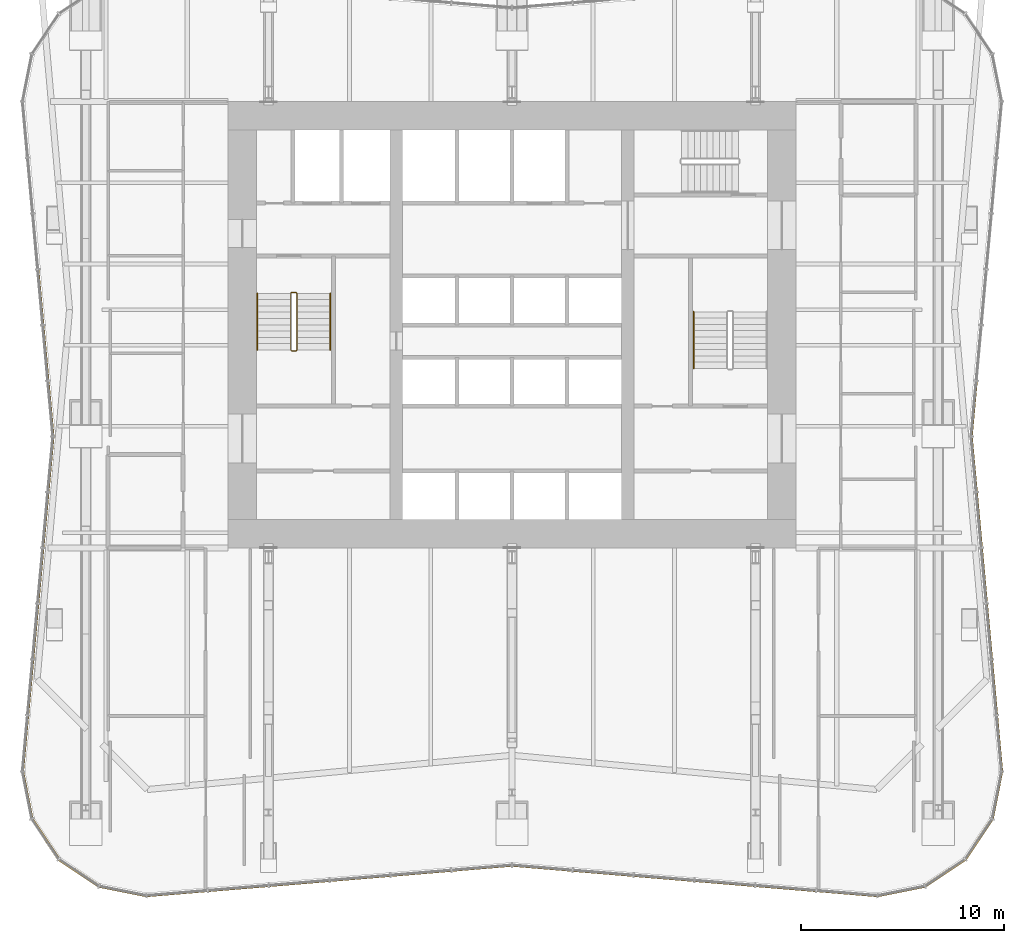
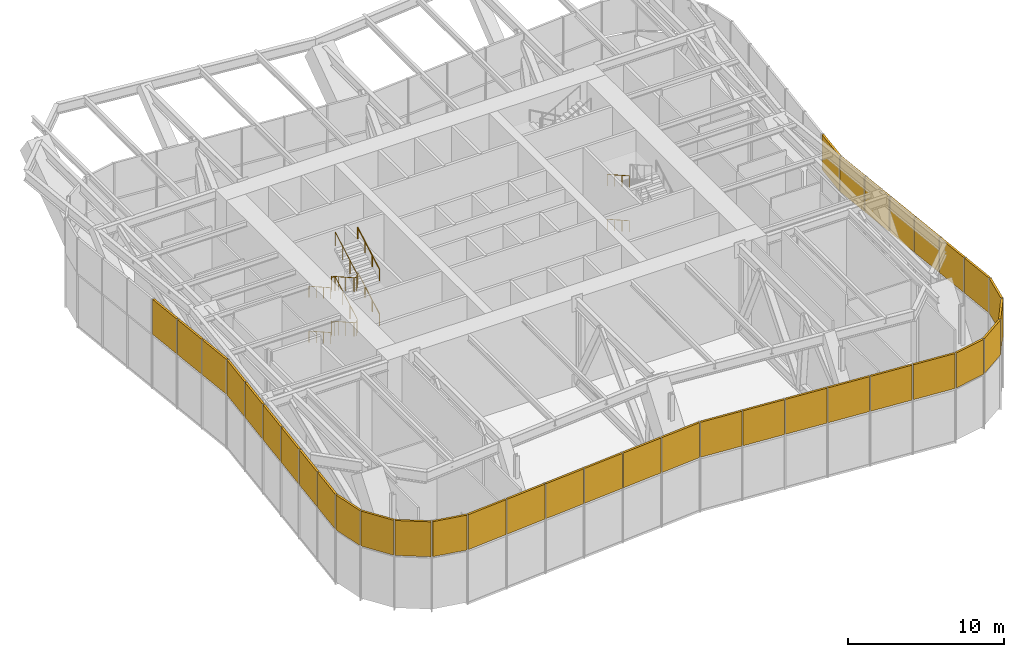
# One storey, part 15 of 17: 36 shading devices, 7 railings, 5 elements without a shape of their own.
"""IFC4 building model written with IfcOpenShell, lengths in metres."""

from ifc_helpers import new_model, si_unit, direction, frame, origin, origin_2d, place, context, subcontext, project, spatial, rectangle, circle, extrude, material, layer, layer_set, type_object, element, aggregate, save


model = new_model("IFC4")

# Units and contexts
model_context = context("Model", 3, precision=1e-05, world=origin(), true_north=direction((0.0, 1.0)))
body_context = subcontext(model_context, "Body", "Model", "MODEL_VIEW")
ifc_project = project(units=[si_unit("LENGTHUNIT", "METRE"), si_unit("AREAUNIT", "SQUARE_METRE"), si_unit("VOLUMEUNIT", "CUBIC_METRE"), si_unit("PLANEANGLEUNIT", "RADIAN"), si_unit("MASSUNIT", "GRAM", prefix="KILO")], contexts=[model_context])

# Site, building, storey
site_placement = place(None, origin())
site = spatial("IfcSite", under=ifc_project, at=site_placement, CompositionType="ELEMENT")
building_placement = place(site_placement, origin())
building = spatial("IfcBuilding", under=site, at=building_placement, Name="Verdant Reach Tower", CompositionType="ELEMENT")
storey_placement = place(building_placement, frame((0.0, 0.0, 58.0)))
storey = spatial("IfcBuildingStorey", under=building, at=storey_placement, Name="L13 Plant", CompositionType="ELEMENT", Elevation=58.0)

# Railings
ifc_material_1 = material(Name="Stainless steel", Category="steel")
railing_type_1 = type_object("IfcRailingType", Name="CO-GUARD", PredefinedType="GUARDRAIL", material=ifc_material_1)
railing_1_placement = place(storey_placement, frame((-10.64990234375, 29.60009765625, 0.0)))
element("IfcRailing", 1, at=railing_1_placement, inside=storey, type_object=railing_type_1, Name="L13 Plant ST-1 stair guard 1", PredefinedType="GUARDRAIL", context=body_context, shape_type="SweptSolid", body=[
    extrude(circle(Radius=0.02392578125, at=origin_2d()), frame((0.0, 0.0, 1.076171875), z_axis=(-1.0, 0.0, 0.0), x_axis=(0.0, -1.0, 0.0)), (0.0, 0.0, 1.0), 0.2001953125),
    extrude(circle(Radius=0.02392578125, at=origin_2d()), frame((-0.2001953125, 0.0, 1.076171875), z_axis=(-0.263862480399, -0.265155923931, 0.927399011991), x_axis=(0.708833529934, -0.705375805398, 0.0)), (0.0, 0.0, 1.0), 0.188720703125),
    extrude(circle(Radius=0.02392578125, at=origin_2d()), frame((-0.25, -0.050048828125, 1.2509765625), z_axis=(0.0, -0.870833779661, 0.491577591232), x_axis=(1.0, 0.0, 0.0)), (0.0, 0.0, 1.0), 3.203857421875),
    extrude(circle(Radius=0.02392578125, at=origin_2d()), frame((-0.25, -2.840087890625, 2.826171875), z_axis=(0.705375805398, -0.708833529934, 0.0), x_axis=(0.708833529934, 0.705375805398, 0.0)), (0.0, 0.0, 1.0), 0.070556640625),
    extrude(circle(Radius=0.02392578125, at=origin_2d()), frame((-0.2001953125, -2.89013671875, 2.826171875), z_axis=(1.0, 0.0, 0.0), x_axis=(0.0, 1.0, 0.0)), (0.0, 0.0, 1.0), 0.2001953125),
    extrude(circle(Radius=0.02392578125, at=origin_2d()), frame((0.0, -2.89013671875, 2.826171875), z_axis=(0.263862480399, 0.265155923931, 0.927399011991), x_axis=(-0.708833529934, 0.705375805398, 0.0)), (0.0, 0.0, 1.0), 0.188720703125),
    extrude(circle(Radius=0.02392578125, at=origin_2d()), frame((0.0498046875, -2.840087890625, 3.0009765625), z_axis=(0.0, 0.870833779661, 0.491577591232), x_axis=(-1.0, 0.0, 0.0)), (0.0, 0.0, 1.0), 3.203857421875),
    extrude(circle(Radius=0.02392578125, at=origin_2d()), frame((0.0498046875, -0.050048828125, 4.576171875), z_axis=(-0.705375805398, 0.708833529934, 0.0), x_axis=(-0.708833529934, -0.705375805398, 0.0)), (0.0, 0.0, 1.0), 0.070556640625),
    extrude(circle(Radius=0.02392578125, at=origin_2d()), frame((0.0, 0.0, 4.576171875), z_axis=(-1.0, 0.0, 0.0), x_axis=(0.0, -1.0, 0.0)), (0.0, 0.0, 1.0), 0.2001953125),
    extrude(circle(Radius=0.02392578125, at=origin_2d()), frame((-0.2001953125, 0.0, 4.576171875), z_axis=(-0.263862480399, -0.265155923931, 0.927399011991), x_axis=(0.708833529934, -0.705375805398, 0.0)), (0.0, 0.0, 1.0), 0.188720703125),
    extrude(circle(Radius=0.02392578125, at=origin_2d()), frame((-0.25, -0.050048828125, 4.7509765625), z_axis=(0.0, -0.870833779661, 0.491577591232), x_axis=(1.0, 0.0, 0.0)), (0.0, 0.0, 1.0), 3.203857421875),
    extrude(circle(Radius=0.02392578125, at=origin_2d()), frame((-0.25, -2.840087890625, 6.326171875), z_axis=(0.705375805398, -0.708833529934, 0.0), x_axis=(0.708833529934, 0.705375805398, 0.0)), (0.0, 0.0, 1.0), 0.070556640625),
    extrude(circle(Radius=0.02392578125, at=origin_2d()), frame((-0.2001953125, -2.89013671875, 6.326171875), z_axis=(1.0, 0.0, 0.0), x_axis=(0.0, 1.0, 0.0)), (0.0, 0.0, 1.0), 0.2001953125),
    extrude(circle(Radius=0.02392578125, at=origin_2d()), frame((0.0, -2.89013671875, 6.326171875), z_axis=(0.263862480399, 0.265155923931, 0.927399011991), x_axis=(-0.708833529934, 0.705375805398, 0.0)), (0.0, 0.0, 1.0), 0.188720703125),
    extrude(circle(Radius=0.02392578125, at=origin_2d()), frame((0.0498046875, -2.840087890625, 6.5009765625), z_axis=(0.0, 0.870833779661, 0.491577591232), x_axis=(-1.0, 0.0, 0.0)), (0.0, 0.0, 1.0), 3.203857421875),
    extrude(circle(Radius=0.02099609375, at=origin_2d()), origin(), (0.0, 0.0, 1.0), 1.052001953125),
    extrude(circle(Radius=0.02099609375, at=origin_2d()), frame((-0.2001953125, 0.0, 0.0)), (0.0, 0.0, 1.0), 1.052001953125),
    extrude(circle(Radius=0.02099609375, at=origin_2d()), frame((-0.25, -0.050048828125, 0.175048828125)), (0.0, 0.0, 1.0), 1.052001953125),
    extrude(circle(Radius=0.02099609375, at=origin_2d()), frame((-0.25, -0.97998046875, 0.699951171875)), (0.0, 0.0, 1.0), 1.052001953125),
    extrude(circle(Radius=0.02099609375, at=origin_2d()), frame((-0.25, -1.91015625, 1.22509765625)), (0.0, 0.0, 1.0), 1.052001953125),
    extrude(circle(Radius=0.02099609375, at=origin_2d()), frame((-0.25, -2.840087890625, 1.75)), (0.0, 0.0, 1.0), 1.052001953125),
    extrude(circle(Radius=0.02099609375, at=origin_2d()), frame((-0.2001953125, -2.89013671875, 1.75)), (0.0, 0.0, 1.0), 1.052001953125),
    extrude(circle(Radius=0.02099609375, at=origin_2d()), frame((0.0, -2.89013671875, 1.75)), (0.0, 0.0, 1.0), 1.052001953125),
    extrude(circle(Radius=0.02099609375, at=origin_2d()), frame((0.0498046875, -2.840087890625, 1.925048828125)), (0.0, 0.0, 1.0), 1.052001953125),
    extrude(circle(Radius=0.02099609375, at=origin_2d()), frame((0.0498046875, -1.91015625, 2.449951171875)), (0.0, 0.0, 1.0), 1.052001953125),
    extrude(circle(Radius=0.02099609375, at=origin_2d()), frame((0.0498046875, -0.97998046875, 2.97509765625)), (0.0, 0.0, 1.0), 1.052001953125),
    extrude(circle(Radius=0.02099609375, at=origin_2d()), frame((0.0498046875, -0.050048828125, 3.5)), (0.0, 0.0, 1.0), 1.052001953125),
    extrude(circle(Radius=0.02099609375, at=origin_2d()), frame((0.0, 0.0, 3.5)), (0.0, 0.0, 1.0), 1.052001953125),
    extrude(circle(Radius=0.02099609375, at=origin_2d()), frame((-0.2001953125, 0.0, 3.5)), (0.0, 0.0, 1.0), 1.052001953125),
    extrude(circle(Radius=0.02099609375, at=origin_2d()), frame((-0.25, -0.050048828125, 3.675048828125)), (0.0, 0.0, 1.0), 1.052001953125),
    extrude(circle(Radius=0.02099609375, at=origin_2d()), frame((-0.25, -0.97998046875, 4.199951171875)), (0.0, 0.0, 1.0), 1.052001953125),
    extrude(circle(Radius=0.02099609375, at=origin_2d()), frame((-0.25, -1.91015625, 4.72509765625)), (0.0, 0.0, 1.0), 1.052001953125),
    extrude(circle(Radius=0.02099609375, at=origin_2d()), frame((-0.25, -2.840087890625, 5.25)), (0.0, 0.0, 1.0), 1.052001953125),
    extrude(circle(Radius=0.02099609375, at=origin_2d()), frame((-0.2001953125, -2.89013671875, 5.25)), (0.0, 0.0, 1.0), 1.052001953125),
    extrude(circle(Radius=0.02099609375, at=origin_2d()), frame((0.0, -2.89013671875, 5.25)), (0.0, 0.0, 1.0), 1.052001953125),
    extrude(circle(Radius=0.02099609375, at=origin_2d()), frame((0.0498046875, -2.840087890625, 5.425048828125)), (0.0, 0.0, 1.0), 1.052001953125),
    extrude(circle(Radius=0.02099609375, at=origin_2d()), frame((0.0498046875, -1.91015625, 5.949951171875)), (0.0, 0.0, 1.0), 1.052001953125),
    extrude(circle(Radius=0.02099609375, at=origin_2d()), frame((0.0498046875, -0.97998046875, 6.47509765625)), (0.0, 0.0, 1.0), 1.052001953125),
    extrude(circle(Radius=0.02099609375, at=origin_2d()), frame((0.0498046875, -0.050048828125, 7.0)), (0.0, 0.0, 1.0), 1.052001953125),
])
railing_type_2 = type_object("IfcRailingType", Name="CO-HANDRAIL", PredefinedType="HANDRAIL", material=ifc_material_1)
railing_2_placement = place(storey_placement, frame((-12.550048828125, 29.550048828125, 0.175048828125)))
element("IfcRailing", 2, at=railing_2_placement, inside=storey, type_object=railing_type_2, Name="L13 Plant ST-1 stair handrail 1", PredefinedType="HANDRAIL", context=body_context, shape_type="SweptSolid", body=[
    extrude(circle(Radius=0.02392578125, at=origin_2d()), frame((0.0, 0.0, 0.8759765625), z_axis=(0.0, -0.870833779661, 0.491577591232), x_axis=(1.0, 0.0, 0.0)), (0.0, 0.0, 1.0), 3.203857421875),
    extrude(circle(Radius=0.02099609375, at=origin_2d()), origin(), (0.0, 0.0, 1.0), 0.851806640625),
    extrude(circle(Radius=0.02099609375, at=origin_2d()), frame((0.0, -0.929931640625, 0.52490234375)), (0.0, 0.0, 1.0), 0.851806640625),
    extrude(circle(Radius=0.02099609375, at=origin_2d()), frame((0.0, -1.860107421875, 1.050048828125)), (0.0, 0.0, 1.0), 0.851806640625),
    extrude(circle(Radius=0.02099609375, at=origin_2d()), frame((0.0, -2.7900390625, 1.574951171875)), (0.0, 0.0, 1.0), 0.851806640625),
])
railing_3_placement = place(storey_placement, frame((-8.949951171875, 26.760009765625, 1.925048828125)))
element("IfcRailing", 3, at=railing_3_placement, inside=storey, type_object=railing_type_2, Name="L13 Plant ST-1 stair handrail 2", PredefinedType="HANDRAIL", context=body_context, shape_type="SweptSolid", body=[
    extrude(circle(Radius=0.02392578125, at=origin_2d()), frame((0.0, 0.0, 0.8759765625), z_axis=(0.0, 0.870833779661, 0.491577591232), x_axis=(-1.0, 0.0, 0.0)), (0.0, 0.0, 1.0), 3.203857421875),
    extrude(circle(Radius=0.02099609375, at=origin_2d()), origin(), (0.0, 0.0, 1.0), 0.851806640625),
    extrude(circle(Radius=0.02099609375, at=origin_2d()), frame((0.0, 0.929931640625, 0.52490234375)), (0.0, 0.0, 1.0), 0.851806640625),
    extrude(circle(Radius=0.02099609375, at=origin_2d()), frame((0.0, 1.860107421875, 1.050048828125)), (0.0, 0.0, 1.0), 0.851806640625),
    extrude(circle(Radius=0.02099609375, at=origin_2d()), frame((0.0, 2.7900390625, 1.574951171875)), (0.0, 0.0, 1.0), 0.851806640625),
])
railing_4_placement = place(storey_placement, frame((-12.550048828125, 29.550048828125, 3.675048828125)))
element("IfcRailing", 4, at=railing_4_placement, inside=storey, type_object=railing_type_2, Name="L13 Plant ST-1 stair handrail 3", PredefinedType="HANDRAIL", context=body_context, shape_type="SweptSolid", body=[
    extrude(circle(Radius=0.02392578125, at=origin_2d()), frame((0.0, 0.0, 0.8759765625), z_axis=(0.0, -0.870833779661, 0.491577591232), x_axis=(1.0, 0.0, 0.0)), (0.0, 0.0, 1.0), 3.203857421875),
    extrude(circle(Radius=0.02099609375, at=origin_2d()), origin(), (0.0, 0.0, 1.0), 0.851806640625),
    extrude(circle(Radius=0.02099609375, at=origin_2d()), frame((0.0, -0.929931640625, 0.52490234375)), (0.0, 0.0, 1.0), 0.851806640625),
    extrude(circle(Radius=0.02099609375, at=origin_2d()), frame((0.0, -1.860107421875, 1.050048828125)), (0.0, 0.0, 1.0), 0.851806640625),
    extrude(circle(Radius=0.02099609375, at=origin_2d()), frame((0.0, -2.7900390625, 1.574951171875)), (0.0, 0.0, 1.0), 0.851806640625),
])
railing_5_placement = place(storey_placement, frame((-8.949951171875, 26.760009765625, 5.425048828125)))
element("IfcRailing", 5, at=railing_5_placement, inside=storey, type_object=railing_type_2, Name="L13 Plant ST-1 stair handrail 4", PredefinedType="HANDRAIL", context=body_context, shape_type="SweptSolid", body=[
    extrude(circle(Radius=0.02392578125, at=origin_2d()), frame((0.0, 0.0, 0.8759765625), z_axis=(0.0, 0.870833779661, 0.491577591232), x_axis=(-1.0, 0.0, 0.0)), (0.0, 0.0, 1.0), 3.203857421875),
    extrude(circle(Radius=0.02099609375, at=origin_2d()), origin(), (0.0, 0.0, 1.0), 0.851806640625),
    extrude(circle(Radius=0.02099609375, at=origin_2d()), frame((0.0, 0.929931640625, 0.52490234375)), (0.0, 0.0, 1.0), 0.851806640625),
    extrude(circle(Radius=0.02099609375, at=origin_2d()), frame((0.0, 1.860107421875, 1.050048828125)), (0.0, 0.0, 1.0), 0.851806640625),
    extrude(circle(Radius=0.02099609375, at=origin_2d()), frame((0.0, 2.7900390625, 1.574951171875)), (0.0, 0.0, 1.0), 0.851806640625),
])
for number, where, name in (
    (6, (8.949951171875, 28.639892578125, 1.925048828125), "L13 Plant ST-2 stair handrail 2"),
    (7, (8.949951171875, 28.639892578125, 5.425048828125), "L13 Plant ST-2 stair handrail 4"),
):
    element("IfcRailing", number, at=place(storey_placement, frame(where)), inside=storey, type_object=railing_type_2, Name=name, PredefinedType="HANDRAIL", context=body_context, shape_type="SweptSolid", body=[
        extrude(circle(Radius=0.02392578125, at=origin_2d()), frame((0.0, 0.0, 0.8759765625), z_axis=(0.0, -0.870815363784, 0.491610213684), x_axis=(1.0, 0.0, 0.0)), (0.0, 0.0, 1.0), 3.20361328125),
        extrude(circle(Radius=0.02099609375, at=origin_2d()), origin(), (0.0, 0.0, 1.0), 0.851806640625),
        extrude(circle(Radius=0.02099609375, at=origin_2d()), frame((0.0, -0.929931640625, 0.52490234375)), (0.0, 0.0, 1.0), 0.851806640625),
        extrude(circle(Radius=0.02099609375, at=origin_2d()), frame((0.0, -1.85986328125, 1.050048828125)), (0.0, 0.0, 1.0), 0.851806640625),
        extrude(circle(Radius=0.02099609375, at=origin_2d()), frame((0.0, -2.789794921875, 1.574951171875)), (0.0, 0.0, 1.0), 0.851806640625),
    ])

# Curtain wall, shading devices
ifc_material_2 = material(Name="Anodised aluminium", Category="aluminium")
curtain_wall_type = type_object("IfcCurtainWallType", Name="EN-CW SYSTEM PLANT", PredefinedType="NOTDEFINED", material=ifc_material_2)
curtain_wall_1_placement = place(storey_placement, origin())
curtain_wall_1 = element("IfcCurtainWall", 8, at=curtain_wall_1_placement, inside=storey, type_object=curtain_wall_type, Name="Curtain wall south-east corner, L13", PredefinedType="NOTDEFINED")
ifc_material_3 = material(Name="Bronze anodised aluminium louvre", Category="aluminium")
ifc_layer = layer(ifc_material_3, 0.14990234375)
ifc_layer_set = layer_set([ifc_layer], Name="EN-LOUVRE")
shading_device_type = type_object("IfcShadingDeviceType", Name="EN-LOUVRE", PredefinedType="USERDEFINED", material=ifc_layer_set)
shading_device_1_placement = place(storey_placement, frame((19.174072265625, 0.114013671875, 3.925048828125), z_axis=(0.0, 0.0, 1.0), x_axis=(0.980694678629, 0.195545256419, 0.0)))
shading_device_1 = element("IfcShadingDevice", 9, at=shading_device_1_placement, type_object=shading_device_type, Name="Louvre bank south-east corner 1, L13", ObjectType="LOUVRE", PredefinedType="USERDEFINED", context=body_context, shape_type="SweptSolid", body=[
    extrude(rectangle(XDim=2.304931640625, YDim=0.14990234375, at=origin_2d()), origin(), (0.0, 0.0, 1.0), 2.72509765625),
])
shading_device_2_placement = place(storey_placement, frame((21.334228515625, 1.010009765625, 3.925048828125), z_axis=(0.0, 0.0, 1.0), x_axis=(0.83145208321, 0.555596466265, 0.0)))
shading_device_2 = element("IfcShadingDevice", 10, at=shading_device_2_placement, type_object=shading_device_type, Name="Louvre bank south-east corner 2, L13", ObjectType="LOUVRE", PredefinedType="USERDEFINED", context=body_context, shape_type="SweptSolid", body=[
    extrude(rectangle(XDim=2.3115234375, YDim=0.14990234375, at=origin_2d()), origin(), (0.0, 0.0, 1.0), 2.72509765625),
])
shading_device_3_placement = place(storey_placement, frame((22.989990234375, 2.665771484375, 3.925048828125), z_axis=(0.0, 0.0, 1.0), x_axis=(0.555596466265, 0.83145208321, 0.0)))
shading_device_3 = element("IfcShadingDevice", 11, at=shading_device_3_placement, type_object=shading_device_type, Name="Louvre bank south-east corner 3, L13", ObjectType="LOUVRE", PredefinedType="USERDEFINED", context=body_context, shape_type="SweptSolid", body=[
    extrude(rectangle(XDim=2.3115234375, YDim=0.14990234375, at=origin_2d()), origin(), (0.0, 0.0, 1.0), 2.72509765625),
])
shading_device_4_placement = place(storey_placement, frame((23.885986328125, 4.825927734375, 3.925048828125), z_axis=(0.0, 0.0, 1.0), x_axis=(0.195519165622, 0.980699880633, 0.0)))
shading_device_4 = element("IfcShadingDevice", 12, at=shading_device_4_placement, type_object=shading_device_type, Name="Louvre bank south-east corner 4, L13", ObjectType="LOUVRE", PredefinedType="USERDEFINED", context=body_context, shape_type="SweptSolid", body=[
    extrude(rectangle(XDim=2.305419921875, YDim=0.14990234375, at=origin_2d()), origin(), (0.0, 0.0, 1.0), 2.72509765625),
])
aggregate(curtain_wall_1, [shading_device_1, shading_device_2, shading_device_3, shading_device_4])

curtain_wall_2_placement = place(storey_placement, origin())
curtain_wall_2 = element("IfcCurtainWall", 13, at=curtain_wall_2_placement, inside=storey, type_object=curtain_wall_type, Name="Curtain wall east, L13", PredefinedType="NOTDEFINED")
shading_device_5_placement = place(storey_placement, frame((23.99365234375, 7.377197265625, 3.925048828125), z_axis=(0.0, 0.0, 1.0), x_axis=(-0.090097307904, 0.995932967176, 0.0)))
shading_device_5 = element("IfcShadingDevice", 14, at=shading_device_5_placement, type_object=shading_device_type, Name="Louvre bank east face part 1 1, L13", ObjectType="LOUVRE", PredefinedType="USERDEFINED", context=body_context, shape_type="SweptSolid", body=[
    extrude(rectangle(XDim=2.702392578125, YDim=0.14990234375, at=origin_2d()), origin(), (0.0, 0.0, 1.0), 2.72509765625),
])
shading_device_6_placement = place(storey_placement, frame((23.743408203125, 10.1357421875, 3.925048828125), z_axis=(0.0, 0.0, 1.0), x_axis=(-0.090535746047, 0.995893206467, 0.0)))
shading_device_6 = element("IfcShadingDevice", 15, at=shading_device_6_placement, type_object=shading_device_type, Name="Louvre bank east face part 1 2, L13", ObjectType="LOUVRE", PredefinedType="USERDEFINED", context=body_context, shape_type="SweptSolid", body=[
    extrude(rectangle(XDim=2.685302734375, YDim=0.14990234375, at=origin_2d()), origin(), (0.0, 0.0, 1.0), 2.72509765625),
])
shading_device_7_placement = place(storey_placement, frame((23.493408203125, 12.8857421875, 3.925048828125), z_axis=(0.0, 0.0, 1.0), x_axis=(-0.090535746047, 0.995893206467, 0.0)))
shading_device_7 = element("IfcShadingDevice", 16, at=shading_device_7_placement, type_object=shading_device_type, Name="Louvre bank east face part 1 3, L13", ObjectType="LOUVRE", PredefinedType="USERDEFINED", context=body_context, shape_type="SweptSolid", body=[
    extrude(rectangle(XDim=2.685302734375, YDim=0.14990234375, at=origin_2d()), origin(), (0.0, 0.0, 1.0), 2.72509765625),
])
shading_device_8_placement = place(storey_placement, frame((23.243408203125, 15.6357421875, 3.925048828125), z_axis=(0.0, 0.0, 1.0), x_axis=(-0.090535746047, 0.995893206467, 0.0)))
shading_device_8 = element("IfcShadingDevice", 17, at=shading_device_8_placement, type_object=shading_device_type, Name="Louvre bank east face part 1 4, L13", ObjectType="LOUVRE", PredefinedType="USERDEFINED", context=body_context, shape_type="SweptSolid", body=[
    extrude(rectangle(XDim=2.685302734375, YDim=0.14990234375, at=origin_2d()), origin(), (0.0, 0.0, 1.0), 2.72509765625),
])
shading_device_9_placement = place(storey_placement, frame((22.993408203125, 18.3857421875, 3.925048828125), z_axis=(0.0, 0.0, 1.0), x_axis=(-0.090535746047, 0.995893206467, 0.0)))
shading_device_9 = element("IfcShadingDevice", 18, at=shading_device_9_placement, type_object=shading_device_type, Name="Louvre bank east face part 1 5, L13", ObjectType="LOUVRE", PredefinedType="USERDEFINED", context=body_context, shape_type="SweptSolid", body=[
    extrude(rectangle(XDim=2.685302734375, YDim=0.14990234375, at=origin_2d()), origin(), (0.0, 0.0, 1.0), 2.72509765625),
])
shading_device_10_placement = place(storey_placement, frame((22.74365234375, 21.13037109375, 3.925048828125), z_axis=(0.0, 0.0, 1.0), x_axis=(-0.090712690488, 0.99587710476, 0.0)))
shading_device_10 = element("IfcShadingDevice", 19, at=shading_device_10_placement, type_object=shading_device_type, Name="Louvre bank east face part 1 6, L13", ObjectType="LOUVRE", PredefinedType="USERDEFINED", context=body_context, shape_type="SweptSolid", body=[
    extrude(rectangle(XDim=2.674560546875, YDim=0.14990234375, at=origin_2d()), origin(), (0.0, 0.0, 1.0), 2.72509765625),
])
shading_device_11_placement = place(storey_placement, frame((22.74365234375, 23.86962890625, 3.925048828125), z_axis=(0.0, 0.0, 1.0), x_axis=(0.090712690488, 0.99587710476, 0.0)))
shading_device_11 = element("IfcShadingDevice", 20, at=shading_device_11_placement, type_object=shading_device_type, Name="Louvre bank east face part 2 1, L13", ObjectType="LOUVRE", PredefinedType="USERDEFINED", context=body_context, shape_type="SweptSolid", body=[
    extrude(rectangle(XDim=2.674560546875, YDim=0.14990234375, at=origin_2d()), origin(), (0.0, 0.0, 1.0), 2.72509765625),
])
aggregate(curtain_wall_2, [shading_device_5, shading_device_6, shading_device_7, shading_device_8, shading_device_9, shading_device_10, shading_device_11])

curtain_wall_3_placement = place(storey_placement, origin())
curtain_wall_3 = element("IfcCurtainWall", 21, at=curtain_wall_3_placement, inside=storey, type_object=curtain_wall_type, Name="Curtain wall west, L13", PredefinedType="NOTDEFINED")
shading_device_12_placement = place(storey_placement, frame((-23.243408203125, 29.3642578125, 3.925048828125), z_axis=(0.0, 0.0, 1.0), x_axis=(0.090535746047, -0.995893206467, 0.0)))
shading_device_12 = element("IfcShadingDevice", 22, at=shading_device_12_placement, type_object=shading_device_type, Name="Louvre bank west face part 1 4, L13", ObjectType="LOUVRE", PredefinedType="USERDEFINED", context=body_context, shape_type="SweptSolid", body=[
    extrude(rectangle(XDim=2.685302734375, YDim=0.14990234375, at=origin_2d()), origin(), (0.0, 0.0, 1.0), 2.72509765625),
])
shading_device_13_placement = place(storey_placement, frame((-22.993408203125, 26.6142578125, 3.925048828125), z_axis=(0.0, 0.0, 1.0), x_axis=(0.090535746047, -0.995893206467, 0.0)))
shading_device_13 = element("IfcShadingDevice", 23, at=shading_device_13_placement, type_object=shading_device_type, Name="Louvre bank west face part 1 5, L13", ObjectType="LOUVRE", PredefinedType="USERDEFINED", context=body_context, shape_type="SweptSolid", body=[
    extrude(rectangle(XDim=2.685302734375, YDim=0.14990234375, at=origin_2d()), origin(), (0.0, 0.0, 1.0), 2.72509765625),
])
shading_device_14_placement = place(storey_placement, frame((-22.74365234375, 23.86962890625, 3.925048828125), z_axis=(0.0, 0.0, 1.0), x_axis=(0.090712690488, -0.99587710476, 0.0)))
shading_device_14 = element("IfcShadingDevice", 24, at=shading_device_14_placement, type_object=shading_device_type, Name="Louvre bank west face part 1 6, L13", ObjectType="LOUVRE", PredefinedType="USERDEFINED", context=body_context, shape_type="SweptSolid", body=[
    extrude(rectangle(XDim=2.674560546875, YDim=0.14990234375, at=origin_2d()), origin(), (0.0, 0.0, 1.0), 2.72509765625),
])
shading_device_15_placement = place(storey_placement, frame((-22.74365234375, 21.13037109375, 3.925048828125), z_axis=(0.0, 0.0, 1.0), x_axis=(-0.090712690488, -0.99587710476, 0.0)))
shading_device_15 = element("IfcShadingDevice", 25, at=shading_device_15_placement, type_object=shading_device_type, Name="Louvre bank west face part 2 1, L13", ObjectType="LOUVRE", PredefinedType="USERDEFINED", context=body_context, shape_type="SweptSolid", body=[
    extrude(rectangle(XDim=2.674560546875, YDim=0.14990234375, at=origin_2d()), origin(), (0.0, 0.0, 1.0), 2.72509765625),
])
shading_device_16_placement = place(storey_placement, frame((-22.993408203125, 18.3857421875, 3.925048828125), z_axis=(0.0, 0.0, 1.0), x_axis=(-0.090535746047, -0.995893206467, 0.0)))
shading_device_16 = element("IfcShadingDevice", 26, at=shading_device_16_placement, type_object=shading_device_type, Name="Louvre bank west face part 2 2, L13", ObjectType="LOUVRE", PredefinedType="USERDEFINED", context=body_context, shape_type="SweptSolid", body=[
    extrude(rectangle(XDim=2.685302734375, YDim=0.14990234375, at=origin_2d()), origin(), (0.0, 0.0, 1.0), 2.72509765625),
])
shading_device_17_placement = place(storey_placement, frame((-23.243408203125, 15.6357421875, 3.925048828125), z_axis=(0.0, 0.0, 1.0), x_axis=(-0.090535746047, -0.995893206467, 0.0)))
shading_device_17 = element("IfcShadingDevice", 27, at=shading_device_17_placement, type_object=shading_device_type, Name="Louvre bank west face part 2 3, L13", ObjectType="LOUVRE", PredefinedType="USERDEFINED", context=body_context, shape_type="SweptSolid", body=[
    extrude(rectangle(XDim=2.685302734375, YDim=0.14990234375, at=origin_2d()), origin(), (0.0, 0.0, 1.0), 2.72509765625),
])
shading_device_18_placement = place(storey_placement, frame((-23.493408203125, 12.8857421875, 3.925048828125), z_axis=(0.0, 0.0, 1.0), x_axis=(-0.090535746047, -0.995893206467, 0.0)))
shading_device_18 = element("IfcShadingDevice", 28, at=shading_device_18_placement, type_object=shading_device_type, Name="Louvre bank west face part 2 4, L13", ObjectType="LOUVRE", PredefinedType="USERDEFINED", context=body_context, shape_type="SweptSolid", body=[
    extrude(rectangle(XDim=2.685302734375, YDim=0.14990234375, at=origin_2d()), origin(), (0.0, 0.0, 1.0), 2.72509765625),
])
shading_device_19_placement = place(storey_placement, frame((-23.743408203125, 10.1357421875, 3.925048828125), z_axis=(0.0, 0.0, 1.0), x_axis=(-0.090535746047, -0.995893206467, 0.0)))
shading_device_19 = element("IfcShadingDevice", 29, at=shading_device_19_placement, type_object=shading_device_type, Name="Louvre bank west face part 2 5, L13", ObjectType="LOUVRE", PredefinedType="USERDEFINED", context=body_context, shape_type="SweptSolid", body=[
    extrude(rectangle(XDim=2.685302734375, YDim=0.14990234375, at=origin_2d()), origin(), (0.0, 0.0, 1.0), 2.72509765625),
])
shading_device_20_placement = place(storey_placement, frame((-23.99365234375, 7.377197265625, 3.925048828125), z_axis=(0.0, 0.0, 1.0), x_axis=(-0.090097307904, -0.995932967176, 0.0)))
shading_device_20 = element("IfcShadingDevice", 30, at=shading_device_20_placement, type_object=shading_device_type, Name="Louvre bank west face part 2 6, L13", ObjectType="LOUVRE", PredefinedType="USERDEFINED", context=body_context, shape_type="SweptSolid", body=[
    extrude(rectangle(XDim=2.702392578125, YDim=0.14990234375, at=origin_2d()), origin(), (0.0, 0.0, 1.0), 2.72509765625),
])
aggregate(curtain_wall_3, [shading_device_12, shading_device_13, shading_device_14, shading_device_15, shading_device_16, shading_device_17, shading_device_18, shading_device_19, shading_device_20])

curtain_wall_4_placement = place(storey_placement, origin())
curtain_wall_4 = element("IfcCurtainWall", 31, at=curtain_wall_4_placement, inside=storey, type_object=curtain_wall_type, Name="Curtain wall south-west corner, L13", PredefinedType="NOTDEFINED")
shading_device_21_placement = place(storey_placement, frame((-23.885986328125, 4.825927734375, 3.925048828125), z_axis=(0.0, 0.0, 1.0), x_axis=(0.195519165622, -0.980699880633, 0.0)))
shading_device_21 = element("IfcShadingDevice", 32, at=shading_device_21_placement, type_object=shading_device_type, Name="Louvre bank south-west corner 1, L13", ObjectType="LOUVRE", PredefinedType="USERDEFINED", context=body_context, shape_type="SweptSolid", body=[
    extrude(rectangle(XDim=2.305419921875, YDim=0.14990234375, at=origin_2d()), origin(), (0.0, 0.0, 1.0), 2.72509765625),
])
shading_device_22_placement = place(storey_placement, frame((-22.989990234375, 2.665771484375, 3.925048828125), z_axis=(0.0, 0.0, 1.0), x_axis=(0.555596466265, -0.83145208321, 0.0)))
shading_device_22 = element("IfcShadingDevice", 33, at=shading_device_22_placement, type_object=shading_device_type, Name="Louvre bank south-west corner 2, L13", ObjectType="LOUVRE", PredefinedType="USERDEFINED", context=body_context, shape_type="SweptSolid", body=[
    extrude(rectangle(XDim=2.3115234375, YDim=0.14990234375, at=origin_2d()), origin(), (0.0, 0.0, 1.0), 2.72509765625),
])
shading_device_23_placement = place(storey_placement, frame((-21.334228515625, 1.010009765625, 3.925048828125), z_axis=(0.0, 0.0, 1.0), x_axis=(0.83145208321, -0.555596466265, 0.0)))
shading_device_23 = element("IfcShadingDevice", 34, at=shading_device_23_placement, type_object=shading_device_type, Name="Louvre bank south-west corner 3, L13", ObjectType="LOUVRE", PredefinedType="USERDEFINED", context=body_context, shape_type="SweptSolid", body=[
    extrude(rectangle(XDim=2.3115234375, YDim=0.14990234375, at=origin_2d()), origin(), (0.0, 0.0, 1.0), 2.72509765625),
])
shading_device_24_placement = place(storey_placement, frame((-19.174072265625, 0.114013671875, 3.925048828125), z_axis=(0.0, 0.0, 1.0), x_axis=(0.980694678629, -0.195545256419, 0.0)))
shading_device_24 = element("IfcShadingDevice", 35, at=shading_device_24_placement, type_object=shading_device_type, Name="Louvre bank south-west corner 4, L13", ObjectType="LOUVRE", PredefinedType="USERDEFINED", context=body_context, shape_type="SweptSolid", body=[
    extrude(rectangle(XDim=2.304931640625, YDim=0.14990234375, at=origin_2d()), origin(), (0.0, 0.0, 1.0), 2.72509765625),
])
aggregate(curtain_wall_4, [shading_device_21, shading_device_22, shading_device_23, shading_device_24])

curtain_wall_5_placement = place(storey_placement, origin())
curtain_wall_5 = element("IfcCurtainWall", 36, at=curtain_wall_5_placement, inside=storey, type_object=curtain_wall_type, Name="Curtain wall south, L13", PredefinedType="NOTDEFINED")
shading_device_25_placement = place(storey_placement, frame((-16.49853515625, 0.00634765625, 3.925048828125), z_axis=(0.0, 0.0, 1.0), x_axis=(0.996577509664, 0.082663578629, 0.0)))
shading_device_25 = element("IfcShadingDevice", 37, at=shading_device_25_placement, type_object=shading_device_type, Name="Louvre bank south face part 1 1, L13", ObjectType="LOUVRE", PredefinedType="USERDEFINED", context=body_context, shape_type="SweptSolid", body=[
    extrude(rectangle(XDim=2.950927734375, YDim=0.14990234375, at=origin_2d()), origin(), (0.0, 0.0, 1.0), 2.72509765625),
])
shading_device_26_placement = place(storey_placement, frame((-13.490234375, 0.25634765625, 3.925048828125), z_axis=(0.0, 0.0, 1.0), x_axis=(0.996545758244, 0.083045479859, 0.0)))
shading_device_26 = element("IfcShadingDevice", 38, at=shading_device_26_placement, type_object=shading_device_type, Name="Louvre bank south face part 1 2, L13", ObjectType="LOUVRE", PredefinedType="USERDEFINED", context=body_context, shape_type="SweptSolid", body=[
    extrude(rectangle(XDim=2.934326171875, YDim=0.14990234375, at=origin_2d()), origin(), (0.0, 0.0, 1.0), 2.72509765625),
])
shading_device_27_placement = place(storey_placement, frame((-10.490234375, 0.50634765625, 3.925048828125), z_axis=(0.0, 0.0, 1.0), x_axis=(0.996545758244, 0.083045479859, 0.0)))
shading_device_27 = element("IfcShadingDevice", 39, at=shading_device_27_placement, type_object=shading_device_type, Name="Louvre bank south face part 1 3, L13", ObjectType="LOUVRE", PredefinedType="USERDEFINED", context=body_context, shape_type="SweptSolid", body=[
    extrude(rectangle(XDim=2.934326171875, YDim=0.14990234375, at=origin_2d()), origin(), (0.0, 0.0, 1.0), 2.72509765625),
])
shading_device_28_placement = place(storey_placement, frame((-7.490234375, 0.75634765625, 3.925048828125), z_axis=(0.0, 0.0, 1.0), x_axis=(0.996545758244, 0.083045479859, 0.0)))
shading_device_28 = element("IfcShadingDevice", 40, at=shading_device_28_placement, type_object=shading_device_type, Name="Louvre bank south face part 1 4, L13", ObjectType="LOUVRE", PredefinedType="USERDEFINED", context=body_context, shape_type="SweptSolid", body=[
    extrude(rectangle(XDim=2.934326171875, YDim=0.14990234375, at=origin_2d()), origin(), (0.0, 0.0, 1.0), 2.72509765625),
])
shading_device_29_placement = place(storey_placement, frame((-4.490234375, 1.00634765625, 3.925048828125), z_axis=(0.0, 0.0, 1.0), x_axis=(0.996545758244, 0.083045479859, 0.0)))
shading_device_29 = element("IfcShadingDevice", 41, at=shading_device_29_placement, type_object=shading_device_type, Name="Louvre bank south face part 1 5, L13", ObjectType="LOUVRE", PredefinedType="USERDEFINED", context=body_context, shape_type="SweptSolid", body=[
    extrude(rectangle(XDim=2.934326171875, YDim=0.14990234375, at=origin_2d()), origin(), (0.0, 0.0, 1.0), 2.72509765625),
])
shading_device_30_placement = place(storey_placement, frame((-1.4951171875, 1.256103515625, 3.925048828125), z_axis=(0.0, 0.0, 1.0), x_axis=(0.996534372104, 0.083182000546, 0.0)))
shading_device_30 = element("IfcShadingDevice", 42, at=shading_device_30_placement, type_object=shading_device_type, Name="Louvre bank south face part 1 6, L13", ObjectType="LOUVRE", PredefinedType="USERDEFINED", context=body_context, shape_type="SweptSolid", body=[
    extrude(rectangle(XDim=2.924560546875, YDim=0.14990234375, at=origin_2d()), origin(), (0.0, 0.0, 1.0), 2.72509765625),
])
shading_device_31_placement = place(storey_placement, frame((1.4951171875, 1.256103515625, 3.925048828125), z_axis=(0.0, 0.0, 1.0), x_axis=(0.996534372104, -0.083182000546, 0.0)))
shading_device_31 = element("IfcShadingDevice", 43, at=shading_device_31_placement, type_object=shading_device_type, Name="Louvre bank south face part 2 1, L13", ObjectType="LOUVRE", PredefinedType="USERDEFINED", context=body_context, shape_type="SweptSolid", body=[
    extrude(rectangle(XDim=2.924560546875, YDim=0.14990234375, at=origin_2d()), origin(), (0.0, 0.0, 1.0), 2.72509765625),
])
shading_device_32_placement = place(storey_placement, frame((4.490234375, 1.00634765625, 3.925048828125), z_axis=(0.0, 0.0, 1.0), x_axis=(0.996545758244, -0.083045479859, 0.0)))
shading_device_32 = element("IfcShadingDevice", 44, at=shading_device_32_placement, type_object=shading_device_type, Name="Louvre bank south face part 2 2, L13", ObjectType="LOUVRE", PredefinedType="USERDEFINED", context=body_context, shape_type="SweptSolid", body=[
    extrude(rectangle(XDim=2.934326171875, YDim=0.14990234375, at=origin_2d()), origin(), (0.0, 0.0, 1.0), 2.72509765625),
])
shading_device_33_placement = place(storey_placement, frame((7.490234375, 0.75634765625, 3.925048828125), z_axis=(0.0, 0.0, 1.0), x_axis=(0.996545758244, -0.083045479859, 0.0)))
shading_device_33 = element("IfcShadingDevice", 45, at=shading_device_33_placement, type_object=shading_device_type, Name="Louvre bank south face part 2 3, L13", ObjectType="LOUVRE", PredefinedType="USERDEFINED", context=body_context, shape_type="SweptSolid", body=[
    extrude(rectangle(XDim=2.934326171875, YDim=0.14990234375, at=origin_2d()), origin(), (0.0, 0.0, 1.0), 2.72509765625),
])
shading_device_34_placement = place(storey_placement, frame((10.490234375, 0.50634765625, 3.925048828125), z_axis=(0.0, 0.0, 1.0), x_axis=(0.996545758244, -0.083045479859, 0.0)))
shading_device_34 = element("IfcShadingDevice", 46, at=shading_device_34_placement, type_object=shading_device_type, Name="Louvre bank south face part 2 4, L13", ObjectType="LOUVRE", PredefinedType="USERDEFINED", context=body_context, shape_type="SweptSolid", body=[
    extrude(rectangle(XDim=2.934326171875, YDim=0.14990234375, at=origin_2d()), origin(), (0.0, 0.0, 1.0), 2.72509765625),
])
shading_device_35_placement = place(storey_placement, frame((13.490234375, 0.25634765625, 3.925048828125), z_axis=(0.0, 0.0, 1.0), x_axis=(0.996545758244, -0.083045479859, 0.0)))
shading_device_35 = element("IfcShadingDevice", 47, at=shading_device_35_placement, type_object=shading_device_type, Name="Louvre bank south face part 2 5, L13", ObjectType="LOUVRE", PredefinedType="USERDEFINED", context=body_context, shape_type="SweptSolid", body=[
    extrude(rectangle(XDim=2.934326171875, YDim=0.14990234375, at=origin_2d()), origin(), (0.0, 0.0, 1.0), 2.72509765625),
])
shading_device_36_placement = place(storey_placement, frame((16.49853515625, 0.00634765625, 3.925048828125), z_axis=(0.0, 0.0, 1.0), x_axis=(0.996577509664, -0.082663578629, 0.0)))
shading_device_36 = element("IfcShadingDevice", 48, at=shading_device_36_placement, type_object=shading_device_type, Name="Louvre bank south face part 2 6, L13", ObjectType="LOUVRE", PredefinedType="USERDEFINED", context=body_context, shape_type="SweptSolid", body=[
    extrude(rectangle(XDim=2.950927734375, YDim=0.14990234375, at=origin_2d()), origin(), (0.0, 0.0, 1.0), 2.72509765625),
])
aggregate(curtain_wall_5, [shading_device_25, shading_device_26, shading_device_27, shading_device_28, shading_device_29, shading_device_30, shading_device_31, shading_device_32, shading_device_33, shading_device_34, shading_device_35, shading_device_36])

save(model, "model.ifc")
